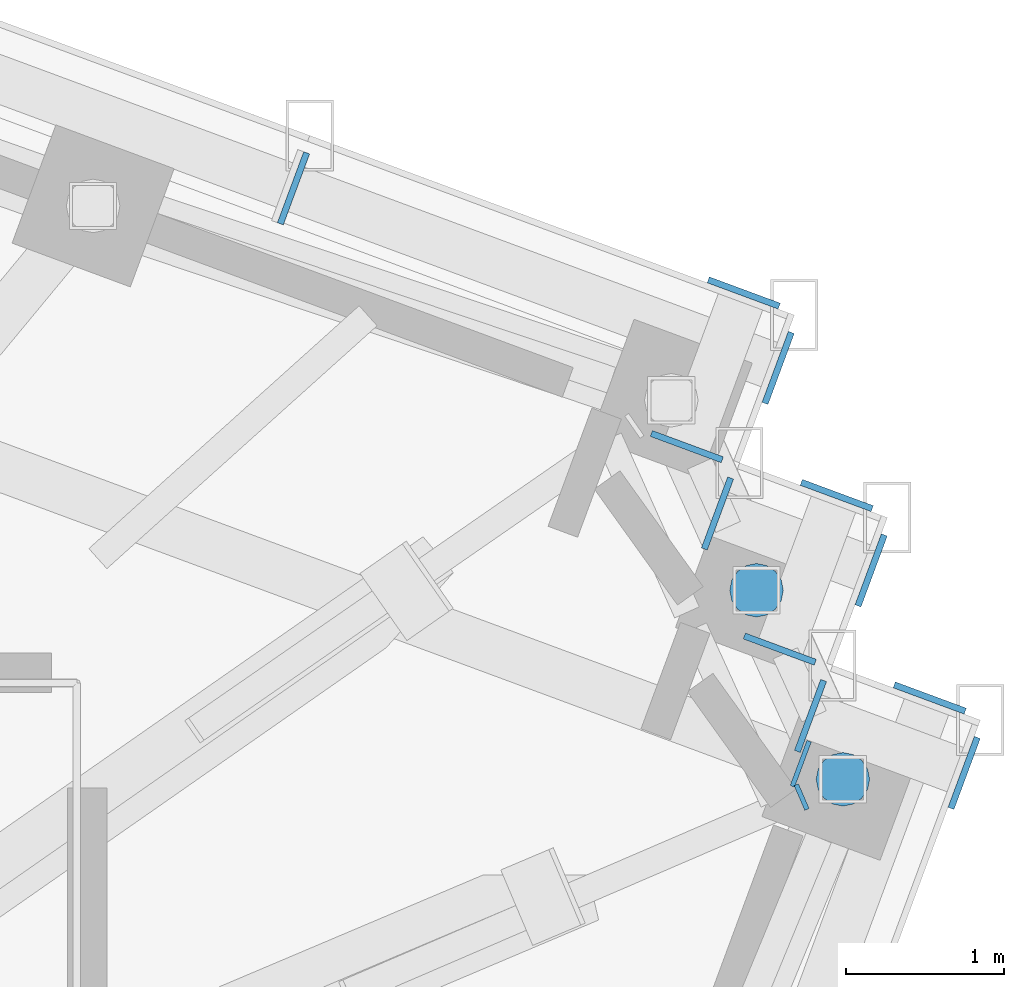
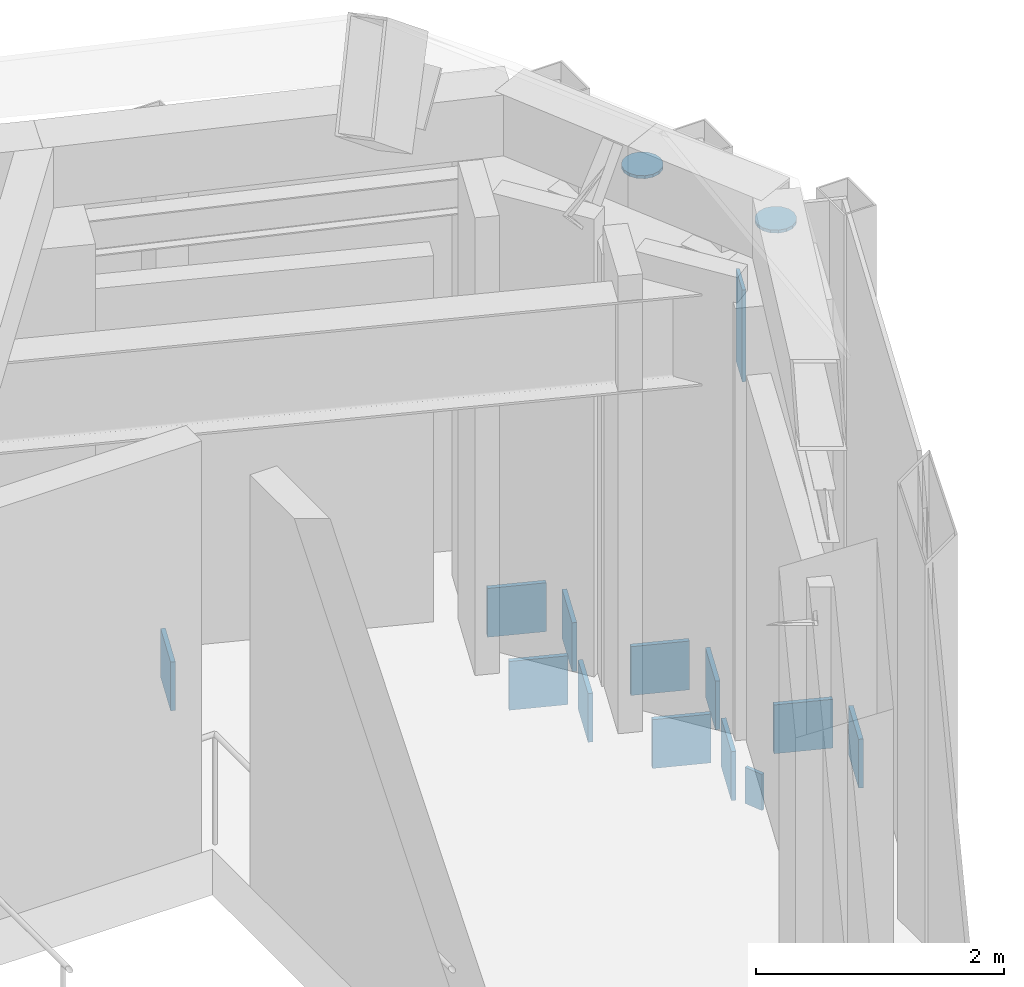
# One storey, part 12 of 14: 15 discrete accessories, 7 elements without a shape of their own.
"""IFC4 building model written with IfcOpenShell, lengths in metres."""

import ifcopenshell
import ifcopenshell.guid

model = None  # the IFC model being written
_history = None  # IfcOwnerHistory: only IFC2X3 demands one
_inside = {}  # id of a spatial element -> (the spatial element, [elements in it])
_under = {}  # id of a project, library or spatial element -> (it, [spatial elements below it])
_declared = {}  # id of a project -> (the project, [libraries it declares])
_typed = {}  # id of a type object -> (the type object, [elements of that type])
_made_of = {}  # id of a material, layer set ... -> (it, [elements and type objects made of it])


def new_model(schema):
    """Start an empty IFC model of exactly this schema.

    Asked for "IFC4X3", IfcOpenShell would pick the latest addendum, in which some entities
    have other attributes; the version numbers below select the first issue.
    IFC2X3 requires an IfcOwnerHistory on every rooted entity: one is made here for all.
    """
    global model, _history
    if schema == "IFC4X3":
        model = ifcopenshell.file(schema_version=(4, 3, 0, 0))
    else:
        model = ifcopenshell.file(schema=schema)
    _inside.clear()
    _under.clear()
    _declared.clear()
    _typed.clear()
    _made_of.clear()
    _history = None
    if model.schema == "IFC2X3":
        org = make("IfcOrganization", Name="unknown")
        user = make(
            "IfcPersonAndOrganization",
            ThePerson=make("IfcPerson", FamilyName="unknown"),
            TheOrganization=org,
        )
        app = make(
            "IfcApplication",
            ApplicationDeveloper=org,
            Version="unknown",
            ApplicationFullName="unknown",
            ApplicationIdentifier="unknown",
        )
        _history = make(
            "IfcOwnerHistory",
            OwningUser=user,
            OwningApplication=app,
            ChangeAction="ADDED",
            CreationDate=0,
        )
    return model


def make(cls, **values):
    """One entity of the class cls with the attributes given. An attribute that is None is left unset."""
    return model.create_entity(
        cls, **{name: value for name, value in values.items() if value is not None}
    )


def rooted(cls, **values):
    """An entity with a GlobalId (a new one), such as an element, a storey or a relation."""
    return make(cls, GlobalId=ifcopenshell.guid.new(), OwnerHistory=_history, **values)


def si_unit(unit_type, name, prefix=None):
    """IfcSIUnit, for example si_unit("LENGTHUNIT", "METRE", prefix="MILLI")."""
    return make("IfcSIUnit", UnitType=unit_type, Prefix=prefix, Name=name)


def assignment(units):
    """IfcUnitAssignment: the units of a project."""
    return None if units is None else make("IfcUnitAssignment", Units=units)


def point(xyz):
    """IfcCartesianPoint."""
    return None if xyz is None else make("IfcCartesianPoint", Coordinates=xyz)


def direction(xyz):
    """IfcDirection."""
    return None if xyz is None else make("IfcDirection", DirectionRatios=xyz)


def frame(location, z_axis=None, x_axis=None):
    """IfcAxis2Placement3D, a coordinate frame: its origin and axes. An axis left out is left unset."""
    return make(
        "IfcAxis2Placement3D",
        Location=point(location),
        Axis=direction(z_axis),
        RefDirection=direction(x_axis),
    )


def origin():
    """The frame at (0, 0, 0) with its axes left unset."""
    return frame((0.0, 0.0, 0.0))


def place(relative_to, where):
    """IfcLocalPlacement: puts the frame where relative to a parent placement (None: the world)."""
    return make(
        "IfcLocalPlacement", PlacementRelTo=relative_to, RelativePlacement=where
    )


def context(
    kind, dimensions, precision=None, world=None, true_north=None, identifier=None
):
    """IfcGeometricRepresentationContext, for example the 3D "Model" context."""
    return make(
        "IfcGeometricRepresentationContext",
        ContextIdentifier=identifier,
        ContextType=kind,
        CoordinateSpaceDimension=dimensions,
        Precision=precision,
        WorldCoordinateSystem=world,
        TrueNorth=true_north,
    )


def subcontext(parent, identifier, kind, view, scale=None):
    """IfcGeometricRepresentationSubContext, for example "Body" below "Model"."""
    return make(
        "IfcGeometricRepresentationSubContext",
        ContextIdentifier=identifier,
        ContextType=kind,
        ParentContext=parent,
        TargetScale=scale,
        TargetView=view,
    )


def project(units=None, contexts=None):
    """IfcProject with its units and contexts."""
    return rooted(
        "IfcProject",
        Name="project",
        RepresentationContexts=contexts,
        UnitsInContext=assignment(units),
    )


def spatial(cls, under=None, at=None, **own):
    """A site, building, storey or space (cls), placed at a placement, below another one or the project."""
    s = rooted(cls, ObjectPlacement=at, **own)
    if under is not None:
        _under.setdefault(under.id(), (under, []))[1].append(s)
    return s


def polyline(points):
    """IfcPolyline through the points."""
    return make("IfcPolyline", Points=[point(p) for p in points])


def outline(outer, holes=None, kind="AREA"):
    """IfcArbitraryClosedProfileDef: a profile drawn as a closed curve; with holes, ...WithVoids."""
    if holes is None:
        return make("IfcArbitraryClosedProfileDef", ProfileType=kind, OuterCurve=outer)
    return make(
        "IfcArbitraryProfileDefWithVoids",
        ProfileType=kind,
        OuterCurve=outer,
        InnerCurves=holes,
    )


def extrude(swept, where, along, depth):
    """IfcExtrudedAreaSolid: the profile swept, set in the frame where, extruded along a direction by depth."""
    return make(
        "IfcExtrudedAreaSolid",
        SweptArea=swept,
        Position=where,
        ExtrudedDirection=direction(along),
        Depth=depth,
    )


def shape(context_of_items, identifier, shape_type, items):
    """IfcShapeRepresentation: the items that make up one representation, for example the "Body"."""
    return make(
        "IfcShapeRepresentation",
        ContextOfItems=context_of_items,
        RepresentationIdentifier=identifier,
        RepresentationType=shape_type,
        Items=items,
    )


def material(Name=None, Category=None):
    """IfcMaterial."""
    return make("IfcMaterial", Name=Name, Category=Category)


def layer(
    of_material, thickness, ventilated=None, Name=None, Category=None, Priority=None
):
    """IfcMaterialLayer: one layer of a wall or slab, of a material (None: an air gap)."""
    return make(
        "IfcMaterialLayer",
        Material=of_material,
        LayerThickness=thickness,
        IsVentilated=ventilated,
        Name=Name,
        Category=Category,
        Priority=Priority,
    )


def layer_set(layers, Name=None):
    """IfcMaterialLayerSet."""
    return make("IfcMaterialLayerSet", MaterialLayers=layers, LayerSetName=Name)


def made_of(thing, what):
    """Note that an element or type object is made of a material, layer set ...; save() writes the relation."""
    if what is not None:
        _made_of.setdefault(what.id(), (what, []))[1].append(thing)
    return thing


def type_object(cls, material=None, **own):
    """A type object (cls), such as IfcWallType, which elements share."""
    return made_of(rooted(cls, **own), material)


def element(
    cls,
    number,
    at=None,
    inside=None,
    cuts=None,
    type_object=None,
    material=None,
    context=None,
    identifier="Body",
    shape_type=None,
    held_by="IfcProductDefinitionShape",
    body=None,
    shapes=None,
    **own,
):
    """One element of the class cls, such as IfcWall. Its Tag is "e" and its number.

    at: its placement. inside: the storey or other place that contains it. cuts: it is an
    opening in that element (IfcRelVoidsElement). A single representation is given by context,
    identifier, shape_type and body (its items); several are given by shapes. held_by: the class
    of the entity that holds the representations. save() writes the other relations.
    """
    e = rooted(cls, Tag="e%d" % number, ObjectPlacement=at, **own)
    if body is not None:
        shapes = [shape(context, identifier, shape_type, body)]
    if shapes is not None:
        e.Representation = make(held_by, Representations=shapes)
    if inside is not None:
        _inside.setdefault(inside.id(), (inside, []))[1].append(e)
    if cuts is not None:
        rooted(
            "IfcRelVoidsElement", RelatingBuildingElement=cuts, RelatedOpeningElement=e
        )
    if type_object is not None:
        _typed.setdefault(type_object.id(), (type_object, []))[1].append(e)
    return made_of(e, material)


def aggregate(whole, parts):
    """IfcRelAggregates: a whole, such as a stair, and the parts it consists of."""
    return rooted("IfcRelAggregates", RelatingObject=whole, RelatedObjects=parts)


def save(model, path):
    """Write the relations noted so far, then the file.

    IfcRelAggregates (storeys below a building ...), IfcRelContainedInSpatialStructure (elements
    in a storey), IfcRelDefinesByType, IfcRelAssociatesMaterial and IfcRelDeclares: one each for
    every whole, place, type object, material and project.
    """
    for whole, parts in _under.values():
        aggregate(whole, parts)
    for where, things in _inside.values():
        rooted(
            "IfcRelContainedInSpatialStructure",
            RelatedElements=things,
            RelatingStructure=where,
        )
    for kind, things in _typed.values():
        rooted("IfcRelDefinesByType", RelatedObjects=things, RelatingType=kind)
    for what, things in _made_of.values():
        rooted("IfcRelAssociatesMaterial", RelatedObjects=things, RelatingMaterial=what)
    for by, libraries in _declared.values():
        rooted("IfcRelDeclares", RelatingContext=by, RelatedDefinitions=libraries)
    model.write(path)


model = new_model("IFC4")

# Units and contexts
model_context = context("Model", 3, precision=1e-05, world=origin(), true_north=direction((0.0, 1.0)))
body_context = subcontext(model_context, "Body", "Model", "MODEL_VIEW")
ifc_project = project(units=[si_unit("LENGTHUNIT", "METRE"), si_unit("AREAUNIT", "SQUARE_METRE"), si_unit("VOLUMEUNIT", "CUBIC_METRE"), si_unit("PLANEANGLEUNIT", "RADIAN"), si_unit("MASSUNIT", "GRAM", prefix="KILO")], contexts=[model_context])

# Site, building, storey
site_placement = place(None, origin())
site = spatial("IfcSite", under=ifc_project, at=site_placement, CompositionType="ELEMENT")
building_placement = place(site_placement, origin())
building = spatial("IfcBuilding", under=site, at=building_placement, Name="Cantera Rosa Tower", CompositionType="ELEMENT")
storey_placement = place(building_placement, frame((0.0, 0.0, 374.199951171875)))
storey = spatial("IfcBuildingStorey", under=building, at=storey_placement, Name="L84", CompositionType="ELEMENT", Elevation=374.199951171875)

# Discrete accessory
ifc_material_1 = material(Name="Steel S355J2 (EN 10025-2)", Category="steel")
ifc_layer = layer(ifc_material_1, 0.030029296875)
ifc_layer_set = layer_set([ifc_layer], Name="NODE PLATE 30")
discrete_accessory_type = type_object("IfcDiscreteAccessoryType", Name="NODE PLATE 30", PredefinedType="ANCHORPLATE", material=ifc_layer_set)
discrete_accessory_1_placement = place(storey_placement, frame((0.0, 0.0, 3.345947265625)))
element("IfcDiscreteAccessory", 1, at=discrete_accessory_1_placement, inside=storey, type_object=discrete_accessory_type, Name="END PLATE RG-Z6-06A", PredefinedType="ANCHORPLATE", context=body_context, shape_type="SweptSolid", body=[
    extrude(outline(polyline([(11.736572265625, 5.15966796875), (11.764892578125, 5.1494140625), (11.870849609375, 5.435302734375), (11.8427734375, 5.44580078125), (11.736572265625, 5.15966796875)])), origin(), (0.0, 0.0, 1.0), 0.904052734375),
])

# Curtain wall, discrete accessory
ifc_material_2 = material(Name="Aluminium frame with clear glass", Category="aluminium")
curtain_wall_type = type_object("IfcCurtainWallType", Name="CW4 CROWN GLAZING", PredefinedType="NOTDEFINED", material=ifc_material_2)
curtain_wall_1_placement = place(storey_placement, origin())
curtain_wall_1 = element("IfcCurtainWall", 2, at=curtain_wall_1_placement, inside=storey, type_object=curtain_wall_type, Name="CW4 L84-01", PredefinedType="NOTDEFINED")
discrete_accessory_2_placement = place(storey_placement, frame((11.762451171875, 8.028076171875, -0.43505859375), z_axis=(0.937742626232, -0.347330918501, 0.0), x_axis=(-0.347330918501, -0.937742626232, 0.0)))
discrete_accessory_2 = element("IfcDiscreteAccessory", 3, at=discrete_accessory_2_placement, type_object=discrete_accessory_type, Name="END PLATE TE0", PredefinedType="ANCHORPLATE", context=body_context, shape_type="SweptSolid", body=[
    extrude(outline(polyline([(0.0, 0.0), (0.4800840869406107, 0.0), (0.4800840869406107, 0.47998046875), (0.0, 0.47998046875), (0.0, 0.0)])), origin(), (0.0, 0.0, -1.0), 0.0400390625),
])
aggregate(curtain_wall_1, [discrete_accessory_2])

curtain_wall_2_placement = place(storey_placement, origin())
curtain_wall_2 = element("IfcCurtainWall", 4, at=curtain_wall_2_placement, inside=storey, type_object=curtain_wall_type, Name="CW4 L84-02", PredefinedType="NOTDEFINED")
discrete_accessory_3_placement = place(storey_placement, frame((8.68701171875, 9.167724609375, -0.43505859375), z_axis=(0.937576914778, -0.347777987911, 0.0), x_axis=(-0.347777987911, -0.937576914778, 0.0)))
discrete_accessory_3 = element("IfcDiscreteAccessory", 5, at=discrete_accessory_3_placement, type_object=discrete_accessory_type, Name="END PLATE TE0", PredefinedType="ANCHORPLATE", context=body_context, shape_type="SweptSolid", body=[
    extrude(outline(polyline([(0.0, 0.0), (0.4801689391068604, 0.0), (0.4801689391068604, 0.47998046875), (0.0, 0.47998046875), (0.0, 0.0)])), origin(), (0.0, 0.0, -1.0), 0.0400390625),
])
aggregate(curtain_wall_2, [discrete_accessory_3])

curtain_wall_3_placement = place(storey_placement, origin())
curtain_wall_3 = element("IfcCurtainWall", 6, at=curtain_wall_3_placement, inside=storey, type_object=curtain_wall_type, Name="CW4 L84-32", PredefinedType="NOTDEFINED")
discrete_accessory_4_placement = place(storey_placement, frame((12.404296875, 5.817138671875, -0.43505859375), z_axis=(0.347330918501, 0.937742626232, 0.0), x_axis=(0.937742626232, -0.347330918501, 0.0)))
discrete_accessory_4 = element("IfcDiscreteAccessory", 7, at=discrete_accessory_4_placement, type_object=discrete_accessory_type, Name="END PLATE TE1", PredefinedType="ANCHORPLATE", context=body_context, shape_type="SweptSolid", body=[
    extrude(outline(polyline([(0.0, 0.0), (0.4800840869406107, 0.0), (0.4800840869406107, 0.47998046875), (0.0, 0.47998046875), (0.0, 0.0)])), origin(), (0.0, 0.0, -1.0), 0.0400390625),
])
aggregate(curtain_wall_3, [discrete_accessory_4])

# Curtain wall, discrete accessories
curtain_wall_4_placement = place(storey_placement, origin())
curtain_wall_4 = element("IfcCurtainWall", 8, at=curtain_wall_4_placement, inside=storey, type_object=curtain_wall_type, Name="CW4 L84-33", PredefinedType="NOTDEFINED")
discrete_accessory_5_placement = place(storey_placement, frame((12.94287109375, 5.457763671875, -0.43505859375), z_axis=(0.937742626232, -0.347330918501, 0.0), x_axis=(-0.347330918501, -0.937742626232, 0.0)))
discrete_accessory_5 = element("IfcDiscreteAccessory", 9, at=discrete_accessory_5_placement, type_object=discrete_accessory_type, Name="END PLATE TE0", PredefinedType="ANCHORPLATE", context=body_context, shape_type="SweptSolid", body=[
    extrude(outline(polyline([(0.0, 0.0), (0.4800840869406107, 0.0), (0.4800840869406107, 0.47998046875), (0.0, 0.47998046875), (0.0, 0.0)])), origin(), (0.0, 0.0, -1.0), 0.0400390625),
])
discrete_accessory_6_placement = place(storey_placement, frame((11.763427734375, 5.3828125, -0.43505859375), z_axis=(-0.937742626232, 0.347330918501, 0.0), x_axis=(0.347330918501, 0.937742626232, 0.0)))
discrete_accessory_6 = element("IfcDiscreteAccessory", 10, at=discrete_accessory_6_placement, type_object=discrete_accessory_type, Name="END PLATE TE1", PredefinedType="ANCHORPLATE", context=body_context, shape_type="SweptSolid", body=[
    extrude(outline(polyline([(0.0, 0.0), (0.4800840869406107, 0.0), (0.4800840869406107, 0.47998046875), (0.0, 0.47998046875), (0.0, 0.0)])), origin(), (0.0, 0.0, -1.0), 0.0400390625),
])
aggregate(curtain_wall_4, [discrete_accessory_5, discrete_accessory_6])

curtain_wall_5_placement = place(storey_placement, origin())
curtain_wall_5 = element("IfcCurtainWall", 11, at=curtain_wall_5_placement, inside=storey, type_object=curtain_wall_type, Name="CW4 L84-34", PredefinedType="NOTDEFINED")
discrete_accessory_7_placement = place(storey_placement, frame((11.888916015625, 5.9228515625, -0.43505859375), z_axis=(-0.347330918501, -0.937742626232, 0.0), x_axis=(-0.937742626232, 0.347330918501, 0.0)))
discrete_accessory_7 = element("IfcDiscreteAccessory", 12, at=discrete_accessory_7_placement, type_object=discrete_accessory_type, Name="END PLATE TE0", PredefinedType="ANCHORPLATE", context=body_context, shape_type="SweptSolid", body=[
    extrude(outline(polyline([(0.0, 0.0), (0.4800840869406107, 0.0), (0.4800840869406107, 0.47998046875), (0.0, 0.47998046875), (0.0, 0.0)])), origin(), (0.0, 0.0, -1.0), 0.0400390625),
])
discrete_accessory_8_placement = place(storey_placement, frame((11.814208984375, 7.102294921875, -0.43505859375), z_axis=(0.347496626235, 0.937681233018, 0.0), x_axis=(0.937681233018, -0.347496626235, 0.0)))
discrete_accessory_8 = element("IfcDiscreteAccessory", 13, at=discrete_accessory_8_placement, type_object=discrete_accessory_type, Name="END PLATE TE1", PredefinedType="ANCHORPLATE", context=body_context, shape_type="SweptSolid", body=[
    extrude(outline(polyline([(0.0, 0.0), (0.4798551533622547, 0.0), (0.4798551533622547, 0.47998046875), (0.0, 0.47998046875), (0.0, 0.0)])), origin(), (0.0, 0.0, -1.0), 0.0400390625),
])
aggregate(curtain_wall_5, [discrete_accessory_7, discrete_accessory_8])

curtain_wall_6_placement = place(storey_placement, origin())
curtain_wall_6 = element("IfcCurtainWall", 14, at=curtain_wall_6_placement, inside=storey, type_object=curtain_wall_type, Name="CW4 L84-35", PredefinedType="NOTDEFINED")
discrete_accessory_9_placement = place(storey_placement, frame((12.352783203125, 6.742919921875, -0.43505859375), z_axis=(0.937742626232, -0.347330918501, 0.0), x_axis=(-0.347330918501, -0.937742626232, 0.0)))
discrete_accessory_9 = element("IfcDiscreteAccessory", 15, at=discrete_accessory_9_placement, type_object=discrete_accessory_type, Name="END PLATE TE0", PredefinedType="ANCHORPLATE", context=body_context, shape_type="SweptSolid", body=[
    extrude(outline(polyline([(0.0, 0.0), (0.4800840869406107, 0.0), (0.4800840869406107, 0.47998046875), (0.0, 0.47998046875), (0.0, 0.0)])), origin(), (0.0, 0.0, -1.0), 0.0400390625),
])
discrete_accessory_10_placement = place(storey_placement, frame((11.17333984375, 6.66796875, -0.43505859375), z_axis=(-0.937742626232, 0.347330918501, 0.0), x_axis=(0.347330918501, 0.937742626232, 0.0)))
discrete_accessory_10 = element("IfcDiscreteAccessory", 16, at=discrete_accessory_10_placement, type_object=discrete_accessory_type, Name="END PLATE TE1", PredefinedType="ANCHORPLATE", context=body_context, shape_type="SweptSolid", body=[
    extrude(outline(polyline([(0.0, 0.0), (0.4800840869406107, 0.0), (0.4800840869406107, 0.47998046875), (0.0, 0.47998046875), (0.0, 0.0)])), origin(), (0.0, 0.0, -1.0), 0.0400390625),
])
aggregate(curtain_wall_6, [discrete_accessory_9, discrete_accessory_10])

curtain_wall_7_placement = place(storey_placement, origin())
curtain_wall_7 = element("IfcCurtainWall", 17, at=curtain_wall_7_placement, inside=storey, type_object=curtain_wall_type, Name="CW4 L84-36", PredefinedType="NOTDEFINED")
discrete_accessory_11_placement = place(storey_placement, frame((11.298828125, 7.2080078125, -0.43505859375), z_axis=(-0.347330918501, -0.937742626232, 0.0), x_axis=(-0.937742626232, 0.347330918501, 0.0)))
discrete_accessory_11 = element("IfcDiscreteAccessory", 18, at=discrete_accessory_11_placement, type_object=discrete_accessory_type, Name="END PLATE TE0", PredefinedType="ANCHORPLATE", context=body_context, shape_type="SweptSolid", body=[
    extrude(outline(polyline([(0.0, 0.0), (0.4800840869406107, 0.0), (0.4800840869406107, 0.47998046875), (0.0, 0.47998046875), (0.0, 0.0)])), origin(), (0.0, 0.0, -1.0), 0.0400390625),
])
discrete_accessory_12_placement = place(storey_placement, frame((11.223876953125, 8.387451171875, -0.43505859375), z_axis=(0.347330918501, 0.937742626232, 0.0), x_axis=(0.937742626232, -0.347330918501, 0.0)))
discrete_accessory_12 = element("IfcDiscreteAccessory", 19, at=discrete_accessory_12_placement, type_object=discrete_accessory_type, Name="END PLATE TE1", PredefinedType="ANCHORPLATE", context=body_context, shape_type="SweptSolid", body=[
    extrude(outline(polyline([(0.0, 0.0), (0.4800840869406107, 0.0), (0.4800840869406107, 0.47998046875), (0.0, 0.47998046875), (0.0, 0.0)])), origin(), (0.0, 0.0, -1.0), 0.0400390625),
])
aggregate(curtain_wall_7, [discrete_accessory_11, discrete_accessory_12])

# Discrete accessories
discrete_accessory_13_placement = place(storey_placement, frame((0.0, 0.0, 4.78515625)))
element("IfcDiscreteAccessory", 20, at=discrete_accessory_13_placement, inside=storey, type_object=discrete_accessory_type, Name="NODE PLATE 15", PredefinedType="ANCHORPLATE", context=body_context, shape_type="SweptSolid", body=[
    extrude(outline(polyline([(12.2412109375, 5.198974609375), (12.228271484375, 5.263916015625), (12.19140625, 5.319091796875), (12.13623046875, 5.35595703125), (12.071044921875, 5.368896484375), (12.006103515625, 5.35595703125), (11.950927734375, 5.319091796875), (11.9140625, 5.263916015625), (11.901123046875, 5.198974609375), (11.9140625, 5.1337890625), (11.950927734375, 5.07861328125), (12.006103515625, 5.041748046875), (12.071044921875, 5.02880859375), (12.13623046875, 5.041748046875), (12.19140625, 5.07861328125), (12.228271484375, 5.1337890625), (12.2412109375, 5.198974609375)])), origin(), (0.0, 0.0, 1.0), 0.02978515625),
])
discrete_accessory_14_placement = place(storey_placement, frame((0.0, 0.0, 4.78515625)))
element("IfcDiscreteAccessory", 21, at=discrete_accessory_14_placement, inside=storey, type_object=discrete_accessory_type, Name="NODE PLATE 16", PredefinedType="ANCHORPLATE", context=body_context, shape_type="SweptSolid", body=[
    extrude(outline(polyline([(11.69287109375, 6.398681640625), (11.679931640625, 6.463623046875), (11.64306640625, 6.518798828125), (11.587890625, 6.5556640625), (11.52294921875, 6.568603515625), (11.457763671875, 6.5556640625), (11.402587890625, 6.518798828125), (11.365966796875, 6.463623046875), (11.35302734375, 6.398681640625), (11.365966796875, 6.33349609375), (11.402587890625, 6.278564453125), (11.457763671875, 6.24169921875), (11.52294921875, 6.228759765625), (11.587890625, 6.24169921875), (11.64306640625, 6.278564453125), (11.679931640625, 6.33349609375), (11.69287109375, 6.398681640625)])), origin(), (0.0, 0.0, 1.0), 0.02978515625),
])
discrete_accessory_15_placement = place(storey_placement, frame((0.0, 0.0, -0.805908203125)))
element("IfcDiscreteAccessory", 22, at=discrete_accessory_15_placement, inside=storey, type_object=discrete_accessory_type, Name="END PLATE CG-Z6-09 L84 A", PredefinedType="ANCHORPLATE", context=body_context, shape_type="SweptSolid", body=[
    extrude(outline(polyline([(11.76171875, 5.15869140625), (11.789306640625, 5.170654296875), (11.85693359375, 5.013671875), (11.829345703125, 5.001708984375), (11.76171875, 5.15869140625)])), origin(), (0.0, 0.0, 1.0), 0.35595703125),
])

save(model, "model.ifc")
